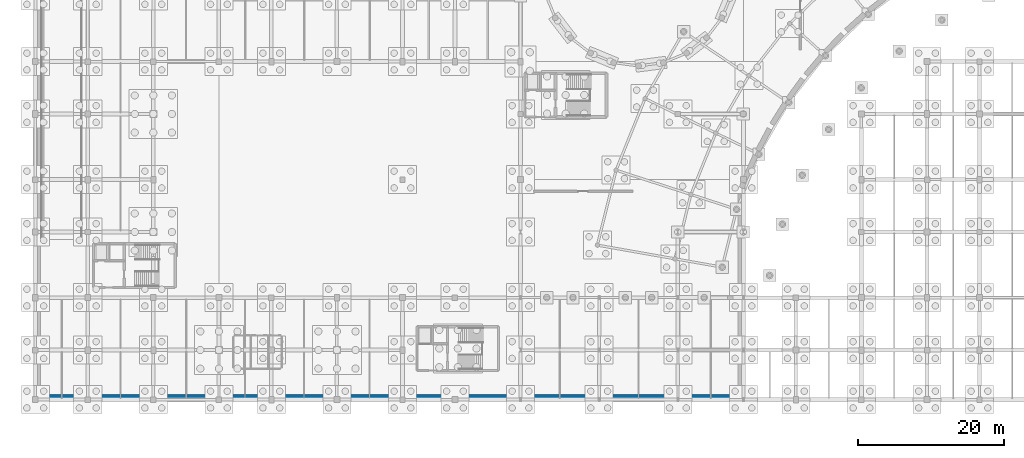
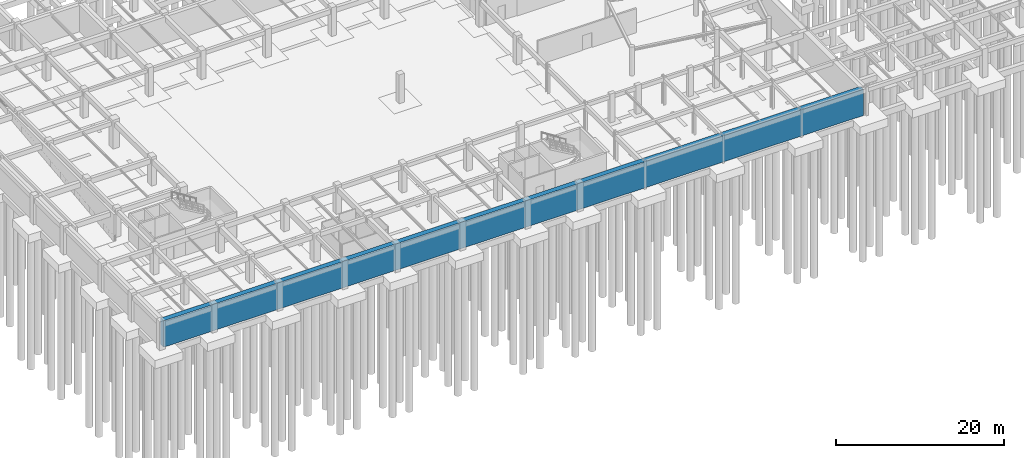
# One storey, part 30 of 42: 1 wall.
"""IFC4 building model written with IfcOpenShell, lengths in metres."""

from ifc_helpers import new_model, si_unit, direction, frame, frame_2d, origin, place, context, subcontext, project, spatial, rectangle, extrude, material, layer, layer_set, type_object, element, save


model = new_model("IFC4")

# Units and contexts
model_context = context("Model", 3, precision=1e-05, world=origin(), true_north=direction((0.0, 1.0)))
body_context = subcontext(model_context, "Body", "Model", "MODEL_VIEW")
ifc_project = project(units=[si_unit("LENGTHUNIT", "METRE"), si_unit("AREAUNIT", "SQUARE_METRE"), si_unit("VOLUMEUNIT", "CUBIC_METRE"), si_unit("PLANEANGLEUNIT", "RADIAN"), si_unit("MASSUNIT", "GRAM", prefix="KILO")], contexts=[model_context])

# Site, building, storey
site_placement = place(None, origin())
site = spatial("IfcSite", under=ifc_project, at=site_placement, CompositionType="ELEMENT")
building_placement = place(site_placement, origin())
building = spatial("IfcBuilding", under=site, at=building_placement, Name="Clarverna Civic Hall", CompositionType="ELEMENT")
storey_placement = place(building_placement, frame((0.0, 0.0, -4.199951171875)))
storey = spatial("IfcBuildingStorey", under=building, at=storey_placement, Name="B01", CompositionType="ELEMENT", Elevation=-4.199951171875)

# Wall
ifc_material = material(Name="Concrete C30/37", Category="concrete")
ifc_layer = layer(ifc_material, 0.699951171875)
ifc_layer_set = layer_set([ifc_layer], Name="Concrete C30/37")
wall_type = type_object("IfcWallType", Name="DW-01", PredefinedType="SOLIDWALL", material=ifc_layer_set)
wall_placement = place(storey_placement, frame((96.824951171875, 0.35009765625, 0.0), z_axis=(0.0, 0.0, 1.0), x_axis=(-1.0, 0.0, 0.0)))
element("IfcWall", 1, at=wall_placement, inside=storey, type_object=wall_type, Name="DW-01-045", PredefinedType="SOLIDWALL", context=body_context, shape_type="SweptSolid", body=[
    extrude(rectangle(XDim=96.474853515625, YDim=0.699951171875, at=frame_2d((48.2373046875, 0.0))), origin(), (0.0, 0.0, 1.0), 3.83984375),
])

save(model, "model.ifc")
